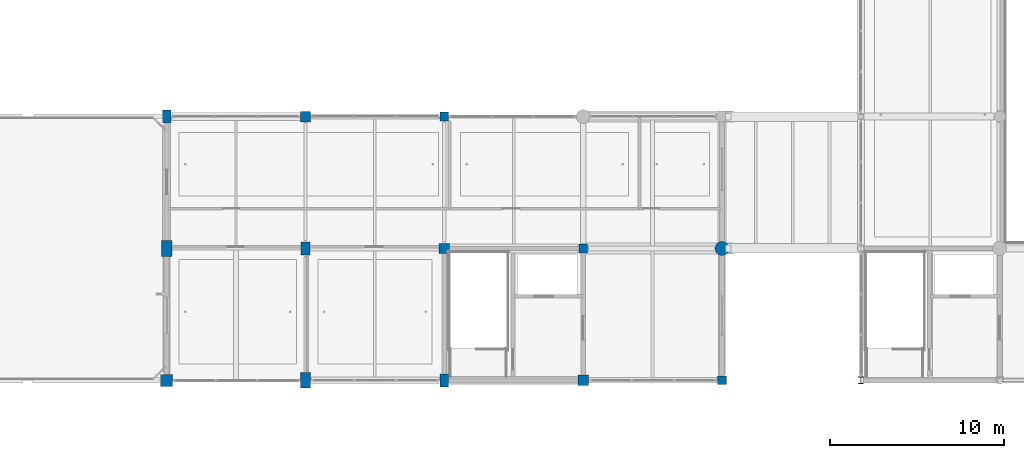
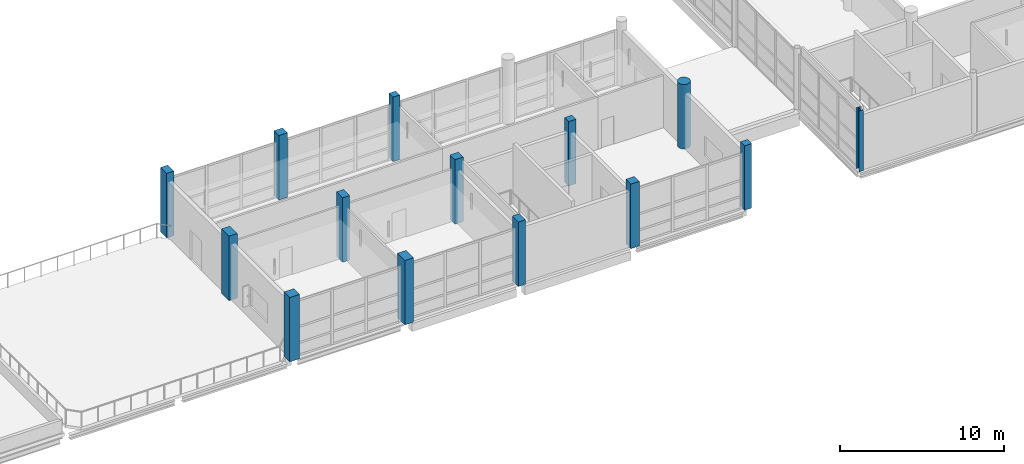
# One storey, part 4 of 107: 14 columns.
"""IFC4 building model written with IfcOpenShell, lengths in metres."""

from ifc_helpers import new_model, si_unit, direction, frame, origin, origin_2d, place, context, subcontext, project, spatial, rectangle, circle, i_section, extrude, material, material_profile, profile_set, type_object, element, save


model = new_model("IFC4")

# Units and contexts
model_context = context("Model", 3, precision=1e-05, world=origin(), true_north=direction((0.0, 1.0)))
body_context = subcontext(model_context, "Body", "Model", "MODEL_VIEW")
ifc_project = project(units=[si_unit("LENGTHUNIT", "METRE"), si_unit("AREAUNIT", "SQUARE_METRE"), si_unit("VOLUMEUNIT", "CUBIC_METRE"), si_unit("PLANEANGLEUNIT", "RADIAN"), si_unit("MASSUNIT", "GRAM", prefix="KILO")], contexts=[model_context])

# Site, building, storey
site_placement = place(None, origin())
site = spatial("IfcSite", under=ifc_project, at=site_placement, CompositionType="ELEMENT")
building_placement = place(site_placement, origin())
building = spatial("IfcBuilding", under=site, at=building_placement, Name="Khelvaren Railside Concert Hall", CompositionType="ELEMENT")
storey_placement = place(building_placement, frame((0.0, 0.0, 15.0)))
storey = spatial("IfcBuildingStorey", under=building, at=storey_placement, Name="L03", CompositionType="ELEMENT", Elevation=15.0)

# Columns
ifc_material_1 = material(Name="Concrete C45/55", Category="concrete")
ifc_material_profile_1 = material_profile(ifc_material_1, rectangle(XDim=0.60009765625, YDim=0.60009765625, at=origin_2d()), Name="RC 600x600")
ifc_profile_set_1 = profile_set([ifc_material_profile_1], Name="Concrete C45/55")
column_type_1 = type_object("IfcColumnType", Name="COL11", PredefinedType="COLUMN", material=ifc_profile_set_1)
for number, where, z_axis, x_axis, name in (
    (1, (112.0, 15.199951171875, 0.0), (0.0, 0.0, 1.0), (1.0, 0.0, 0.0), "V3 L03 Column (112.0,15.2)"),
    (2, (128.0, 0.0, 0.0), (0.0, 0.0, 1.0), (1.0, 0.0, 0.0), "V3 L03 Column (128.0,0.0)"),
):
    element("IfcColumn", number, at=place(storey_placement, frame(where, z_axis=z_axis, x_axis=x_axis)), inside=storey, type_object=column_type_1, Name=name, PredefinedType="COLUMN", context=body_context, shape_type="SweptSolid", body=[
        extrude(rectangle(XDim=0.60009765625, YDim=0.60009765625, at=origin_2d()), origin(), (0.0, 0.0, 1.0), 4.800048828125),
    ])
ifc_material_profile_2 = material_profile(ifc_material_1, rectangle(XDim=0.699951171875, YDim=0.699951171875, at=origin_2d()), Name="RC 700x700")
ifc_profile_set_2 = profile_set([ifc_material_profile_2], Name="Concrete C45/55")
column_type_2 = type_object("IfcColumnType", Name="COL16", PredefinedType="COLUMN", material=ifc_profile_set_2)
column_1_placement = place(storey_placement, frame((104.0, 0.0, 0.0), z_axis=(0.0, 0.0, 1.0), x_axis=(1.0, 0.0, 0.0)))
element("IfcColumn", 3, at=column_1_placement, inside=storey, type_object=column_type_2, Name="V3 L03 Column (104.0,0.0)", PredefinedType="COLUMN", context=body_context, shape_type="SweptSolid", body=[
    extrude(rectangle(XDim=0.699951171875, YDim=0.699951171875, at=origin_2d()), origin(), (0.0, 0.0, 1.0), 4.800048828125),
])
ifc_material_profile_3 = material_profile(ifc_material_1, circle(Radius=0.39990234375, at=origin_2d()), Name="RC D800")
ifc_profile_set_3 = profile_set([ifc_material_profile_3], Name="Concrete C45/55")
column_type_3 = type_object("IfcColumnType", Name="COL22", PredefinedType="COLUMN", material=ifc_profile_set_3)
column_2_placement = place(storey_placement, frame((136.0, 7.60009765625, 0.0), z_axis=(0.0, 0.0, 1.0), x_axis=(1.0, 0.0, 0.0)))
element("IfcColumn", 4, at=column_2_placement, inside=storey, type_object=column_type_3, Name="V3 L03 Column (136.0,7.6)", PredefinedType="COLUMN", context=body_context, shape_type="SweptSolid", body=[
    extrude(circle(Radius=0.39990234375, at=origin_2d()), origin(), (0.0, 0.0, 1.0), 4.800048828125),
])
ifc_material_2 = material(Name="Steel S355", Category="steel")
ifc_material_profile_4 = material_profile(ifc_material_2, i_section(OverallWidth=0.300048828125, OverallDepth=0.389892578125, WebThickness=0.010986328125, FlangeThickness=0.01904296875, FilletRadius=0.027099609375, at=origin_2d()), Name="HEA 400")
ifc_profile_set_4 = profile_set([ifc_material_profile_4], Name="Steel S355")
column_type_4 = type_object("IfcColumnType", Name="COL23", PredefinedType="COLUMN", material=ifc_profile_set_4)
column_3_placement = place(storey_placement, frame((144.0, 0.0, 0.0), z_axis=(0.0, 0.0, 1.0), x_axis=(1.0, 0.0, 0.0)))
element("IfcColumn", 5, at=column_3_placement, inside=storey, type_object=column_type_4, Name="V2 L03 Column (144.0,0.0)", PredefinedType="COLUMN", context=body_context, shape_type="SweptSolid", body=[
    extrude(i_section(OverallWidth=0.300048828125, OverallDepth=0.389892578125, WebThickness=0.010986328125, FlangeThickness=0.01904296875, FilletRadius=0.027099609375, at=origin_2d()), origin(), (0.0, 0.0, 1.0), 4.530029296875),
])
ifc_material_profile_5 = material_profile(ifc_material_1, rectangle(XDim=0.60009765625, YDim=0.60009765625, at=origin_2d()), Name="RC 600x600")
ifc_profile_set_5 = profile_set([ifc_material_profile_5], Name="Concrete C45/55")
column_type_5 = type_object("IfcColumnType", Name="COL29", PredefinedType="COLUMN", material=ifc_profile_set_5)
column_4_placement = place(storey_placement, frame((120.0, 7.60009765625, 0.0), z_axis=(0.0, 0.0, 1.0), x_axis=(1.0, 0.0, 0.0)))
element("IfcColumn", 6, at=column_4_placement, inside=storey, type_object=column_type_5, Name="V3 L03 Column (120.0,7.6)", PredefinedType="COLUMN", context=body_context, shape_type="SweptSolid", body=[
    extrude(rectangle(XDim=0.60009765625, YDim=0.60009765625, at=origin_2d()), origin(), (0.0, 0.0, 1.0), 4.800048828125),
])
ifc_material_profile_6 = material_profile(ifc_material_1, rectangle(XDim=0.5, YDim=0.5, at=origin_2d()), Name="RC 500x500")
ifc_profile_set_6 = profile_set([ifc_material_profile_6], Name="Concrete C45/55")
column_type_6 = type_object("IfcColumnType", Name="COL35", PredefinedType="COLUMN", material=ifc_profile_set_6)
for number, where, z_axis, x_axis, name in (
    (7, (120.0, 15.199951171875, 0.0), (0.0, 0.0, 1.0), (1.0, 0.0, 0.0), "V3 L03 Column (120.0,15.2)"),
    (8, (136.0, 0.0, 0.0), (0.0, 0.0, 1.0), (1.0, 0.0, 0.0), "V3 L03 Column (136.0,0.0)"),
):
    element("IfcColumn", number, at=place(storey_placement, frame(where, z_axis=z_axis, x_axis=x_axis)), inside=storey, type_object=column_type_6, Name=name, PredefinedType="COLUMN", context=body_context, shape_type="SweptSolid", body=[
        extrude(rectangle(XDim=0.5, YDim=0.5, at=origin_2d()), origin(), (0.0, 0.0, 1.0), 4.800048828125),
    ])
ifc_material_profile_7 = material_profile(ifc_material_1, rectangle(XDim=0.5, YDim=0.75, at=origin_2d()), Name="RC 500x750")
ifc_profile_set_7 = profile_set([ifc_material_profile_7], Name="Concrete C45/55")
column_type_7 = type_object("IfcColumnType", Name="COL36", PredefinedType="COLUMN", material=ifc_profile_set_7)
column_5_placement = place(storey_placement, frame((112.0, 7.60009765625, 0.0), z_axis=(0.0, 0.0, 1.0), x_axis=(1.0, 0.0, 0.0)))
element("IfcColumn", 9, at=column_5_placement, inside=storey, type_object=column_type_7, Name="V3 L03 Column (112.0,7.6)", PredefinedType="COLUMN", context=body_context, shape_type="SweptSolid", body=[
    extrude(rectangle(XDim=0.5, YDim=0.75, at=origin_2d()), origin(), (0.0, 0.0, 1.0), 4.800048828125),
])
ifc_material_profile_8 = material_profile(ifc_material_1, rectangle(XDim=0.5, YDim=0.5, at=origin_2d()), Name="RC 500x500")
ifc_profile_set_8 = profile_set([ifc_material_profile_8], Name="Concrete C45/55")
column_type_8 = type_object("IfcColumnType", Name="COL84", PredefinedType="COLUMN", material=ifc_profile_set_8)
column_6_placement = place(storey_placement, frame((128.0, 7.60009765625, 0.0), z_axis=(0.0, 0.0, 1.0), x_axis=(1.0, 0.0, 0.0)))
element("IfcColumn", 10, at=column_6_placement, inside=storey, type_object=column_type_8, Name="V3 L03 Column (128.0,7.6)", PredefinedType="COLUMN", context=body_context, shape_type="SweptSolid", body=[
    extrude(rectangle(XDim=0.5, YDim=0.5, at=origin_2d()), origin(), (0.0, 0.0, 1.0), 4.800048828125),
])
ifc_material_profile_9 = material_profile(ifc_material_1, rectangle(XDim=0.60009765625, YDim=0.89990234375, at=origin_2d()), Name="RC 600x900")
ifc_profile_set_9 = profile_set([ifc_material_profile_9], Name="Concrete C45/55")
column_type_9 = type_object("IfcColumnType", Name="COL95", PredefinedType="COLUMN", material=ifc_profile_set_9)
for number, where, z_axis, x_axis, name in (
    (11, (104.0, 7.60009765625, 0.0), (0.0, 0.0, 1.0), (1.0, 0.0, 0.0), "V3 L03 Column (104.0,7.6)"),
    (12, (112.0, 0.0, 0.0), (0.0, 0.0, 1.0), (1.0, 0.0, 0.0), "V3 L03 Column (112.0,0.0)"),
):
    element("IfcColumn", number, at=place(storey_placement, frame(where, z_axis=z_axis, x_axis=x_axis)), inside=storey, type_object=column_type_9, Name=name, PredefinedType="COLUMN", context=body_context, shape_type="SweptSolid", body=[
        extrude(rectangle(XDim=0.60009765625, YDim=0.89990234375, at=origin_2d()), origin(), (0.0, 0.0, 1.0), 4.800048828125),
    ])
ifc_material_profile_10 = material_profile(ifc_material_1, rectangle(XDim=0.5, YDim=0.75, at=origin_2d()), Name="RC 500x750")
ifc_profile_set_10 = profile_set([ifc_material_profile_10], Name="Concrete C45/55")
column_type_10 = type_object("IfcColumnType", Name="COL97", PredefinedType="COLUMN", material=ifc_profile_set_10)
for number, where, z_axis, x_axis, name in (
    (13, (104.0, 15.199951171875, 0.0), (0.0, 0.0, 1.0), (1.0, 0.0, 0.0), "V3 L03 Column (104.0,15.2)"),
    (14, (120.0, 0.0, 0.0), (0.0, 0.0, 1.0), (1.0, 0.0, 0.0), "V3 L03 Column (120.0,0.0)"),
):
    element("IfcColumn", number, at=place(storey_placement, frame(where, z_axis=z_axis, x_axis=x_axis)), inside=storey, type_object=column_type_10, Name=name, PredefinedType="COLUMN", context=body_context, shape_type="SweptSolid", body=[
        extrude(rectangle(XDim=0.5, YDim=0.75, at=origin_2d()), origin(), (0.0, 0.0, 1.0), 4.800048828125),
    ])

save(model, "model.ifc")
